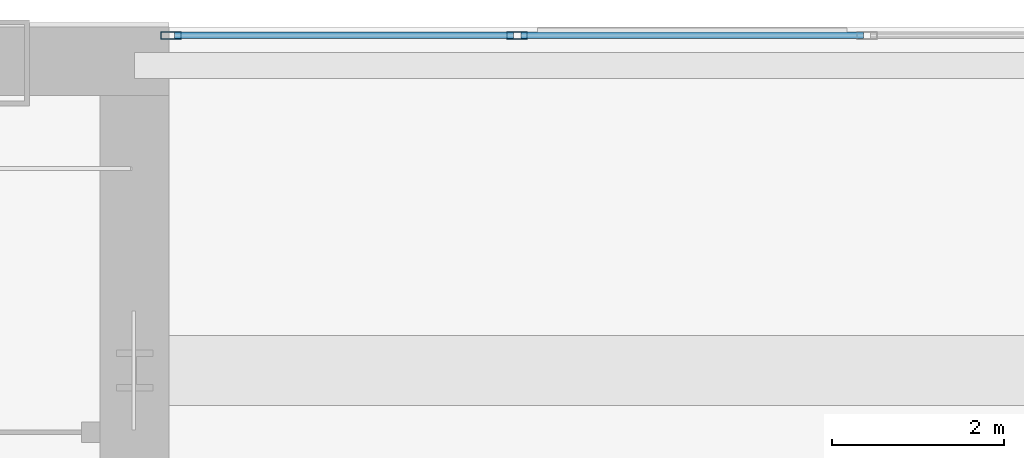
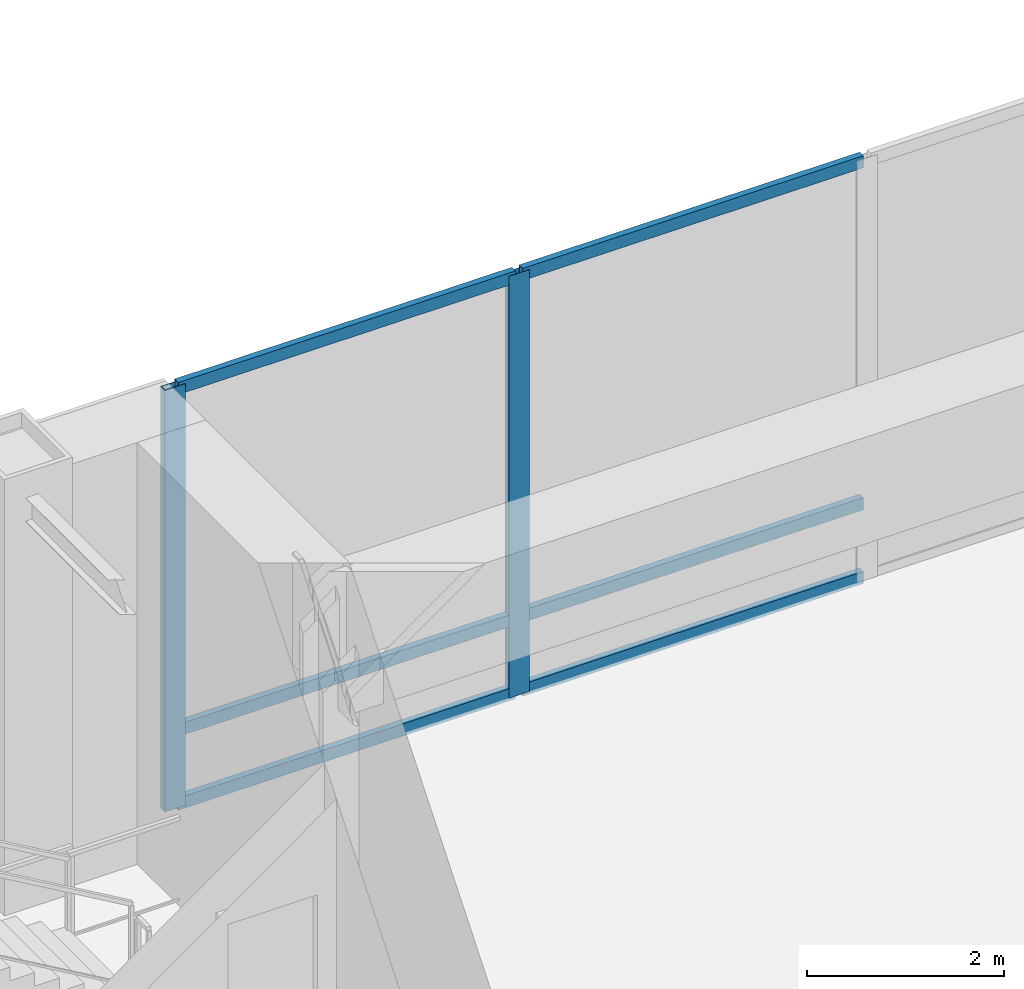
# One storey, part 13 of 26: 8 members, 1 element without a shape of its own.
"""IFC4 building model written with IfcOpenShell, lengths in metres."""

from ifc_helpers import new_model, si_unit, direction, frame, origin, origin_2d, place, context, subcontext, project, spatial, hollow_rectangle, extrude, material, material_profile, profile_set, type_object, element, aggregate, save


model = new_model("IFC4")

# Units and contexts
model_context = context("Model", 3, precision=1e-05, world=origin(), true_north=direction((0.0, 1.0)))
body_context = subcontext(model_context, "Body", "Model", "MODEL_VIEW")
ifc_project = project(units=[si_unit("LENGTHUNIT", "METRE"), si_unit("AREAUNIT", "SQUARE_METRE"), si_unit("VOLUMEUNIT", "CUBIC_METRE"), si_unit("PLANEANGLEUNIT", "RADIAN"), si_unit("MASSUNIT", "GRAM", prefix="KILO")], contexts=[model_context])

# Site, building, storey
site_placement = place(None, origin())
site = spatial("IfcSite", under=ifc_project, at=site_placement, CompositionType="ELEMENT")
building_placement = place(site_placement, origin())
building = spatial("IfcBuilding", under=site, at=building_placement, Name="Khoronbel Lancet Exchange", CompositionType="ELEMENT")
storey_placement = place(building_placement, frame((0.0, 0.0, 20.39990234375)))
storey = spatial("IfcBuildingStorey", under=building, at=storey_placement, Name="L04", CompositionType="ELEMENT", Elevation=20.39990234375)

# Curtain wall, members
ifc_material_1 = material(Name="Low-E Solar Control Insulating Glass", Category="glass")
curtain_wall_type = type_object("IfcCurtainWallType", Name="CW-5", PredefinedType="NOTDEFINED", material=ifc_material_1)
curtain_wall_placement = place(storey_placement, origin())
curtain_wall = element("IfcCurtainWall", 1, at=curtain_wall_placement, inside=storey, type_object=curtain_wall_type, Name="Unitised curtain wall CW-L04-NE", PredefinedType="NOTDEFINED")
ifc_material_2 = material(Name="Bronze-Anodised Aluminium 6063-T6", Category="aluminium")
ifc_material_profile_1 = material_profile(ifc_material_2, hollow_rectangle(XDim=0.0849609375, YDim=0.239990234375, WallThickness=0.006103515625, at=origin_2d()), Name="ALU MULLION 85x240")
ifc_profile_set_1 = profile_set([ifc_material_profile_1], Name="Bronze-Anodised Aluminium 6063-T6")
member_type_1 = type_object("IfcMemberType", Name="MEM-CWM1", PredefinedType="MULLION", material=ifc_profile_set_1)
member_1_placement = place(storey_placement, frame((56.722412109375, 53.60009765625, 0.0), z_axis=(0.0, 0.0, 1.0), x_axis=(0.0, 1.0, 0.0)))
member_1 = element("IfcMember", 2, at=member_1_placement, type_object=member_type_1, Name="CW5 mullion 1", PredefinedType="MULLION", context=body_context, shape_type="SweptSolid", body=[
    extrude(hollow_rectangle(XDim=0.0849609375, YDim=0.239990234375, WallThickness=0.006103515625, at=origin_2d()), origin(), (0.0, 0.0, 1.0), 5.22021484375),
])
member_2_placement = place(storey_placement, frame((60.75341796875, 53.60009765625, 0.0), z_axis=(0.0, 0.0, 1.0), x_axis=(0.0, 1.0, 0.0)))
member_2 = element("IfcMember", 3, at=member_2_placement, type_object=member_type_1, Name="CW5 mullion 2", PredefinedType="MULLION", context=body_context, shape_type="SweptSolid", body=[
    extrude(hollow_rectangle(XDim=0.0849609375, YDim=0.239990234375, WallThickness=0.006103515625, at=origin_2d()), origin(), (0.0, 0.0, 1.0), 5.22021484375),
])
ifc_material_profile_2 = material_profile(ifc_material_2, hollow_rectangle(XDim=0.074951171875, YDim=0.14990234375, WallThickness=0.00439453125, at=origin_2d()), Name="ALU TRANSOM 75x150")
ifc_profile_set_2 = profile_set([ifc_material_profile_2], Name="Bronze-Anodised Aluminium 6063-T6")
member_type_2 = type_object("IfcMemberType", Name="MEM-CWT2", PredefinedType="USERDEFINED", material=ifc_profile_set_2)
member_3_placement = place(storey_placement, frame((56.764892578125, 53.60009765625, 0.03759765625), z_axis=(1.0, 0.0, 0.0), x_axis=(0.0, 1.0, 0.0)))
member_3 = element("IfcMember", 4, at=member_3_placement, type_object=member_type_2, Name="CW5 transom 1.1", ObjectType="TRANSOM", PredefinedType="USERDEFINED", context=body_context, shape_type="SweptSolid", body=[
    extrude(hollow_rectangle(XDim=0.074951171875, YDim=0.14990234375, WallThickness=0.00439453125, at=origin_2d()), origin(), (0.0, 0.0, 1.0), 3.946044921875),
])
member_4_placement = place(storey_placement, frame((56.764892578125, 53.60009765625, 0.9501953125), z_axis=(1.0, 0.0, 0.0), x_axis=(0.0, 1.0, 0.0)))
member_4 = element("IfcMember", 5, at=member_4_placement, type_object=member_type_2, Name="CW5 transom 1.2", ObjectType="TRANSOM", PredefinedType="USERDEFINED", context=body_context, shape_type="SweptSolid", body=[
    extrude(hollow_rectangle(XDim=0.074951171875, YDim=0.14990234375, WallThickness=0.00439453125, at=origin_2d()), origin(), (0.0, 0.0, 1.0), 3.946044921875),
])
member_5_placement = place(storey_placement, frame((56.764892578125, 53.60009765625, 5.1826171875), z_axis=(1.0, 0.0, 0.0), x_axis=(0.0, 1.0, 0.0)))
member_5 = element("IfcMember", 6, at=member_5_placement, type_object=member_type_2, Name="CW5 transom 1.3", ObjectType="TRANSOM", PredefinedType="USERDEFINED", context=body_context, shape_type="SweptSolid", body=[
    extrude(hollow_rectangle(XDim=0.074951171875, YDim=0.14990234375, WallThickness=0.00439453125, at=origin_2d()), origin(), (0.0, 0.0, 1.0), 3.946044921875),
])
member_6_placement = place(storey_placement, frame((60.7958984375, 53.60009765625, 0.03759765625), z_axis=(1.0, 0.0, 0.0), x_axis=(0.0, 1.0, 0.0)))
member_6 = element("IfcMember", 7, at=member_6_placement, type_object=member_type_2, Name="CW5 transom 2.1", ObjectType="TRANSOM", PredefinedType="USERDEFINED", context=body_context, shape_type="SweptSolid", body=[
    extrude(hollow_rectangle(XDim=0.074951171875, YDim=0.14990234375, WallThickness=0.00439453125, at=origin_2d()), origin(), (0.0, 0.0, 1.0), 3.98828125),
])
member_7_placement = place(storey_placement, frame((60.7958984375, 53.60009765625, 0.9501953125), z_axis=(1.0, 0.0, 0.0), x_axis=(0.0, 1.0, 0.0)))
member_7 = element("IfcMember", 8, at=member_7_placement, type_object=member_type_2, Name="CW5 transom 2.2", ObjectType="TRANSOM", PredefinedType="USERDEFINED", context=body_context, shape_type="SweptSolid", body=[
    extrude(hollow_rectangle(XDim=0.074951171875, YDim=0.14990234375, WallThickness=0.00439453125, at=origin_2d()), origin(), (0.0, 0.0, 1.0), 3.98828125),
])
member_8_placement = place(storey_placement, frame((60.7958984375, 53.60009765625, 5.1826171875), z_axis=(1.0, 0.0, 0.0), x_axis=(0.0, 1.0, 0.0)))
member_8 = element("IfcMember", 9, at=member_8_placement, type_object=member_type_2, Name="CW5 transom 2.3", ObjectType="TRANSOM", PredefinedType="USERDEFINED", context=body_context, shape_type="SweptSolid", body=[
    extrude(hollow_rectangle(XDim=0.074951171875, YDim=0.14990234375, WallThickness=0.00439453125, at=origin_2d()), origin(), (0.0, 0.0, 1.0), 3.98828125),
])
aggregate(curtain_wall, [member_1, member_2, member_3, member_4, member_5, member_6, member_7, member_8])

save(model, "model.ifc")
